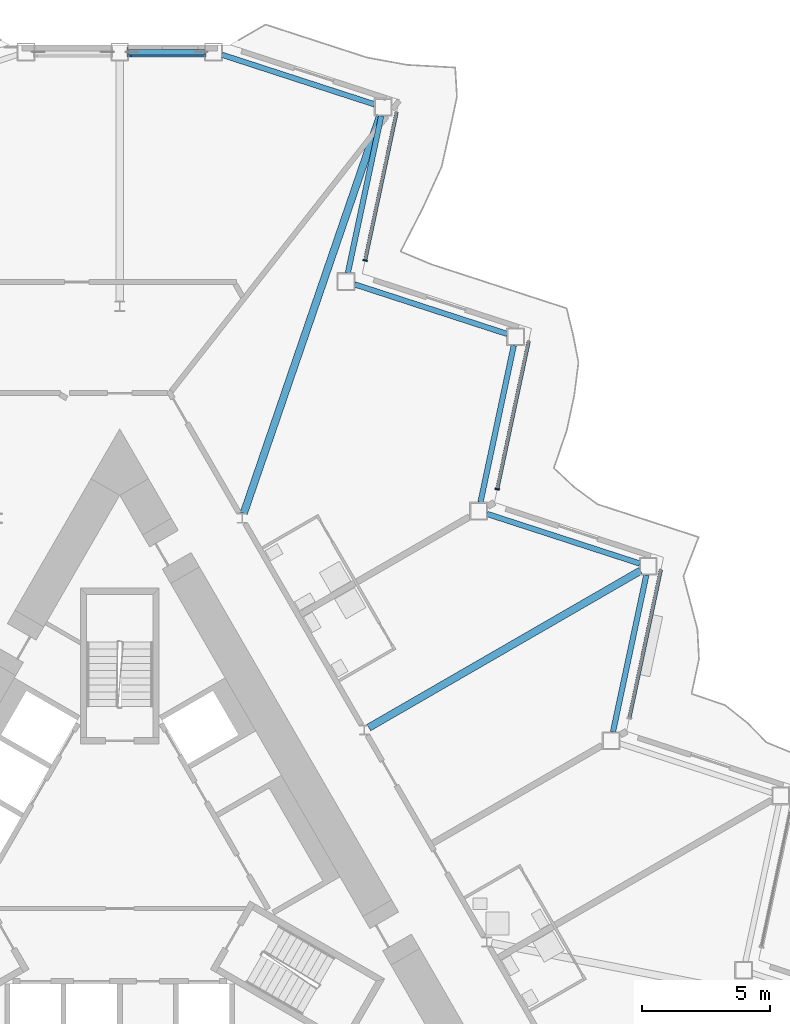
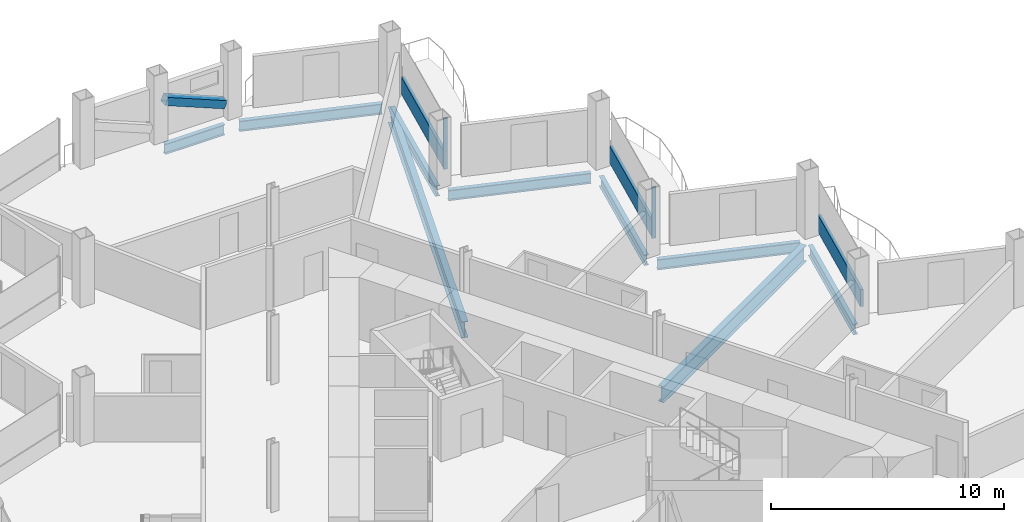
# One storey, part 9 of 24: 9 beams, 6 members, 3 elements without a shape of their own.
"""IFC4 building model written with IfcOpenShell, lengths in metres."""

from ifc_helpers import new_model, si_unit, direction, frame, origin, origin_2d, place, context, subcontext, project, spatial, rectangle, hollow_rectangle, i_section, extrude, material, layer, layer_set, material_profile, profile_set, type_object, element, aggregate, save


model = new_model("IFC4")

# Units and contexts
model_context = context("Model", 3, precision=1e-05, world=origin(), true_north=direction((0.0, 1.0)))
body_context = subcontext(model_context, "Body", "Model", "MODEL_VIEW")
ifc_project = project(units=[si_unit("LENGTHUNIT", "METRE"), si_unit("AREAUNIT", "SQUARE_METRE"), si_unit("VOLUMEUNIT", "CUBIC_METRE"), si_unit("PLANEANGLEUNIT", "RADIAN"), si_unit("MASSUNIT", "GRAM", prefix="KILO")], contexts=[model_context])

# Site, building, storey
site_placement = place(None, origin())
site = spatial("IfcSite", under=ifc_project, at=site_placement, CompositionType="ELEMENT")
building_placement = place(site_placement, origin())
building = spatial("IfcBuilding", under=site, at=building_placement, Name="Cormorant Prow Tower", CompositionType="ELEMENT")
storey_placement = place(building_placement, frame((0.0, 0.0, 238.199951171875)))
storey = spatial("IfcBuildingStorey", under=building, at=storey_placement, Name="L52", CompositionType="ELEMENT", Elevation=238.199951171875)

# Member
ifc_material_1 = material(Name="Structural steel ASTM A500 Gr C", Category="steel")
ifc_material_profile_1 = material_profile(ifc_material_1, hollow_rectangle(XDim=0.406494140625, YDim=0.406494140625, WallThickness=0.01171875, at=origin_2d()), Name="HSS16x16x1/2")
ifc_profile_set_1 = profile_set([ifc_material_profile_1], Name="Structural steel ASTM A500 Gr C")
member_type_1 = type_object("IfcMemberType", Name="Chamfer brace HSS16x16x1/2", PredefinedType="BRACE", material=ifc_profile_set_1)
member_1_placement = place(storey_placement, frame((3.3046875, 32.073486328125, 0.74951171875), z_axis=(-0.925591042089, 0.0, 0.37852506232), x_axis=(0.0, -1.0, 0.0)))
element("IfcMember", 1, at=member_1_placement, inside=storey, type_object=member_type_1, Name="Chamfer brace BR2 at N00 L52", PredefinedType="BRACE", context=body_context, shape_type="SweptSolid", body=[
    extrude(hollow_rectangle(XDim=0.406494140625, YDim=0.406494140625, WallThickness=0.01171875, at=origin_2d()), origin(), (0.0, 0.0, 1.0), 3.17529296875),
])

# Curtain wall, member
ifc_material_2 = material(Name="Aluminium 6063-T6", Category="aluminium")
ifc_layer = layer(ifc_material_2, 0.179931640625)
ifc_layer_set = layer_set([ifc_layer], Name="Aluminium 6063-T6")
curtain_wall_type = type_object("IfcCurtainWallType", Name="Hotel unitised curtain wall 180", PredefinedType="NOTDEFINED", material=ifc_layer_set)
curtain_wall_1_placement = place(storey_placement, origin())
curtain_wall_1 = element("IfcCurtainWall", 2, at=curtain_wall_1_placement, inside=storey, type_object=curtain_wall_type, Name="Hotel curtain wall ENE06", PredefinedType="NOTDEFINED")
ifc_material_3 = material(Name="Aluminium 6063-T6", Category="aluminium")
ifc_material_profile_2 = material_profile(ifc_material_3, rectangle(XDim=0.179931640625, YDim=0.06005859375, at=origin_2d()), Name="Hotel mullion 60x180")
ifc_profile_set_2 = profile_set([ifc_material_profile_2], Name="Aluminium 6063-T6")
member_type_2 = type_object("IfcMemberType", Name="Hotel mullion 60x180", PredefinedType="MULLION", material=ifc_profile_set_2)
member_2_placement = place(storey_placement, frame((14.778076171875, 14.959716796875, 0.0), z_axis=(0.0, 0.0, 1.0), x_axis=(-0.978147574806, 0.207911812796, 0.0)))
member_2 = element("IfcMember", 3, at=member_2_placement, type_object=member_type_2, Name="Hotel mullion ENE06", PredefinedType="MULLION", context=body_context, shape_type="SweptSolid", body=[
    extrude(rectangle(XDim=0.179931640625, YDim=0.06005859375, at=origin_2d()), origin(), (0.0, 0.0, 1.0), 2.700927734375),
])

curtain_wall_2_placement = place(storey_placement, origin())
curtain_wall_2 = element("IfcCurtainWall", 4, at=curtain_wall_2_placement, inside=storey, type_object=curtain_wall_type, Name="Hotel curtain wall ENE08", PredefinedType="NOTDEFINED")
member_3_placement = place(storey_placement, frame((9.606201171875, 23.917724609375, 0.0), z_axis=(0.0, 0.0, 1.0), x_axis=(-0.978147610241, 0.207911646089, 0.0)))
member_3 = element("IfcMember", 5, at=member_3_placement, type_object=member_type_2, Name="Hotel mullion ENE08", PredefinedType="MULLION", context=body_context, shape_type="SweptSolid", body=[
    extrude(rectangle(XDim=0.179931640625, YDim=0.06005859375, at=origin_2d()), origin(), (0.0, 0.0, 1.0), 2.700927734375),
])

curtain_wall_3_placement = place(storey_placement, origin())
curtain_wall_3 = element("IfcCurtainWall", 6, at=curtain_wall_3_placement, inside=storey, type_object=curtain_wall_type, Name="Hotel curtain wall ENE04", PredefinedType="NOTDEFINED")
ifc_material_4 = material(Name="Terracotta", Category="masonry")
ifc_material_profile_3 = material_profile(ifc_material_4, rectangle(XDim=0.139892578125, YDim=0.89990234375, at=origin_2d()), Name="Hotel terracotta spandrel rail 140x900")
ifc_profile_set_3 = profile_set([ifc_material_profile_3], Name="Terracotta")
member_type_3 = type_object("IfcMemberType", Name="Hotel terracotta spandrel rail 140x900", PredefinedType="USERDEFINED", material=ifc_profile_set_3)
member_4_placement = place(storey_placement, frame((19.956298828125, 6.03125, 0.449951171875), z_axis=(0.207900345408, 0.978150012206, 0.0), x_axis=(-0.978150012206, 0.207900345408, 0.0)))
member_4 = element("IfcMember", 7, at=member_4_placement, type_object=member_type_3, Name="Hotel spandrel rail ENE04", ObjectType="TRANSOM", PredefinedType="USERDEFINED", context=body_context, shape_type="SweptSolid", body=[
    extrude(rectangle(XDim=0.139892578125, YDim=0.89990234375, at=origin_2d()), origin(), (0.0, 0.0, 1.0), 5.8974609375),
])
aggregate(curtain_wall_3, [member_4])

# Member
member_5_placement = place(storey_placement, frame((14.784423828125, 14.9892578125, 0.449951171875), z_axis=(0.207900345408, 0.978150012206, 0.0), x_axis=(-0.978150012206, 0.207900345408, 0.0)))
member_5 = element("IfcMember", 8, at=member_5_placement, type_object=member_type_3, Name="Hotel spandrel rail ENE06", ObjectType="TRANSOM", PredefinedType="USERDEFINED", context=body_context, shape_type="SweptSolid", body=[
    extrude(rectangle(XDim=0.139892578125, YDim=0.89990234375, at=origin_2d()), origin(), (0.0, 0.0, 1.0), 5.8974609375),
])

aggregate(curtain_wall_1, [member_2, member_5])

member_6_placement = place(storey_placement, frame((9.612548828125, 23.947265625, 0.449951171875), z_axis=(0.207900345408, 0.978150012206, 0.0), x_axis=(-0.978150012206, 0.207900345408, 0.0)))
member_6 = element("IfcMember", 9, at=member_6_placement, type_object=member_type_3, Name="Hotel spandrel rail ENE08", ObjectType="TRANSOM", PredefinedType="USERDEFINED", context=body_context, shape_type="SweptSolid", body=[
    extrude(rectangle(XDim=0.139892578125, YDim=0.89990234375, at=origin_2d()), origin(), (0.0, 0.0, 1.0), 5.8974609375),
])

aggregate(curtain_wall_2, [member_3, member_6])

# Beams
ifc_material_5 = material(Name="Structural steel ASTM A992 Gr 50", Category="steel")
ifc_material_profile_4 = material_profile(ifc_material_5, i_section(OverallWidth=0.29296875, OverallDepth=0.845703125, WebThickness=0.015380859375, FlangeThickness=0.0244140625, at=origin_2d()), Name="W33x141")
ifc_profile_set_4 = profile_set([ifc_material_profile_4], Name="Structural steel ASTM A992 Gr 50")
beam_type_1 = type_object("IfcBeamType", Name="Radial floor beam W33x141", PredefinedType="BEAM", material=ifc_profile_set_4)
beam_1_placement = place(storey_placement, frame((9.751220703125, 5.6298828125, -0.77294921875), z_axis=(0.866021995826, 0.500005902711, 0.0), x_axis=(-0.500005902711, 0.866021995826, 0.0)))
element("IfcBeam", 10, at=beam_1_placement, inside=storey, type_object=beam_type_1, Name="Radial floor beam FB2 11 L52", PredefinedType="BEAM", context=body_context, shape_type="SweptSolid", body=[
    extrude(i_section(OverallWidth=0.29296875, OverallDepth=0.845703125, WebThickness=0.015380859375, FlangeThickness=0.0244140625, at=origin_2d()), origin(), (0.0, 0.0, 1.0), 12.277099609375),
])
beam_2_placement = place(storey_placement, frame((4.85400390625, 14.013916015625, -0.77294921875), z_axis=(0.324535507117, 0.945873514071, 0.0), x_axis=(-0.945873514071, 0.324535507117, 0.0)))
element("IfcBeam", 11, at=beam_2_placement, inside=storey, type_object=beam_type_1, Name="Radial floor beam FB2 12 L52", PredefinedType="BEAM", context=body_context, shape_type="SweptSolid", body=[
    extrude(i_section(OverallWidth=0.29296875, OverallDepth=0.845703125, WebThickness=0.015380859375, FlangeThickness=0.0244140625, at=origin_2d()), origin(), (0.0, 0.0, 1.0), 16.462158203125),
])
ifc_material_6 = material(Name="Structural steel ASTM A992 Gr 50", Category="steel")
ifc_material_profile_5 = material_profile(ifc_material_6, i_section(OverallWidth=0.2138671875, OverallDepth=0.549072265625, WebThickness=0.0146484375, FlangeThickness=0.023681640625, at=origin_2d()), Name="W21x93")
ifc_profile_set_5 = profile_set([ifc_material_profile_5], Name="Structural steel ASTM A992 Gr 50")
beam_type_2 = type_object("IfcBeamType", Name="Spandrel beam W21x93", PredefinedType="SPANDREL", material=ifc_profile_set_5)
beam_3_placement = place(storey_placement, frame((19.307861328125, 5.456787109375, -0.62451171875), z_axis=(0.207933593793, 0.978142944856, 0.0), x_axis=(-0.978142944856, 0.207933593793, 0.0)))
element("IfcBeam", 12, at=beam_3_placement, inside=storey, type_object=beam_type_2, Name="Spandrel beam SB2 ENE04-ENE05 L52", PredefinedType="SPANDREL", context=body_context, shape_type="SweptSolid", body=[
    extrude(i_section(OverallWidth=0.2138671875, OverallDepth=0.549072265625, WebThickness=0.0146484375, FlangeThickness=0.023681640625, at=origin_2d()), origin(), (0.0, 0.0, 1.0), 6.281494140625),
])
beam_4_placement = place(storey_placement, frame((20.353759765625, 12.051513671875, -0.62451171875), z_axis=(-0.951050348284, 0.309035976918, 0.0), x_axis=(-0.309035976918, -0.951050348284, 0.0)))
element("IfcBeam", 13, at=beam_4_placement, inside=storey, type_object=beam_type_2, Name="Spandrel beam SB2 ENE05-ENE06 L52", PredefinedType="SPANDREL", context=body_context, shape_type="SweptSolid", body=[
    extrude(i_section(OverallWidth=0.2138671875, OverallDepth=0.549072265625, WebThickness=0.0146484375, FlangeThickness=0.023681640625, at=origin_2d()), origin(), (0.0, 0.0, 1.0), 6.28125),
])
beam_5_placement = place(storey_placement, frame((14.11962890625, 14.443115234375, -0.62451171875), z_axis=(0.207933593793, 0.978142944856, 0.0), x_axis=(-0.978142944856, 0.207933593793, 0.0)))
element("IfcBeam", 14, at=beam_5_placement, inside=storey, type_object=beam_type_2, Name="Spandrel beam SB2 ENE06-ENE07 L52", PredefinedType="SPANDREL", context=body_context, shape_type="SweptSolid", body=[
    extrude(i_section(OverallWidth=0.2138671875, OverallDepth=0.549072265625, WebThickness=0.0146484375, FlangeThickness=0.023681640625, at=origin_2d()), origin(), (0.0, 0.0, 1.0), 6.281494140625),
])
beam_6_placement = place(storey_placement, frame((15.16552734375, 21.037841796875, -0.62451171875), z_axis=(-0.951050348284, 0.309035976918, 0.0), x_axis=(-0.309035976918, -0.951050348284, 0.0)))
element("IfcBeam", 15, at=beam_6_placement, inside=storey, type_object=beam_type_2, Name="Spandrel beam SB2 ENE07-ENE08 L52", PredefinedType="SPANDREL", context=body_context, shape_type="SweptSolid", body=[
    extrude(i_section(OverallWidth=0.2138671875, OverallDepth=0.549072265625, WebThickness=0.0146484375, FlangeThickness=0.023681640625, at=origin_2d()), origin(), (0.0, 0.0, 1.0), 6.28125),
])
for number, where, z_axis, x_axis, name in (
    (16, (8.931396484375, 23.429443359375, -0.62451171875), (0.207896407679, 0.97815084914, 0.0), (-0.97815084914, 0.207896407679, 0.0), "Spandrel beam SB2 ENE08-ENE09 L52"),
    (17, (9.977294921875, 30.024169921875, -0.62451171875), (-0.951054060056, 0.309024553801, 0.0), (-0.309024553801, -0.951054060056, 0.0), "Spandrel beam SB2 ENE09-N00 L52"),
):
    element("IfcBeam", number, at=place(storey_placement, frame(where, z_axis=z_axis, x_axis=x_axis)), inside=storey, type_object=beam_type_2, Name=name, PredefinedType="SPANDREL", context=body_context, shape_type="SweptSolid", body=[
        extrude(i_section(OverallWidth=0.2138671875, OverallDepth=0.549072265625, WebThickness=0.0146484375, FlangeThickness=0.023681640625, at=origin_2d()), origin(), (0.0, 0.0, 1.0), 6.281494140625),
    ])
beam_7_placement = place(storey_placement, frame((3.3203125, 32.073486328125, -0.62451171875), z_axis=(-1.0, 0.0, 0.0), x_axis=(0.0, -1.0, 0.0)))
element("IfcBeam", 18, at=beam_7_placement, inside=storey, type_object=beam_type_2, Name="Spandrel beam SB2 N00-N01 L52", PredefinedType="SPANDREL", context=body_context, shape_type="SweptSolid", body=[
    extrude(i_section(OverallWidth=0.2138671875, OverallDepth=0.549072265625, WebThickness=0.0146484375, FlangeThickness=0.023681640625, at=origin_2d()), origin(), (0.0, 0.0, 1.0), 2.97021484375),
])

save(model, "model.ifc")
